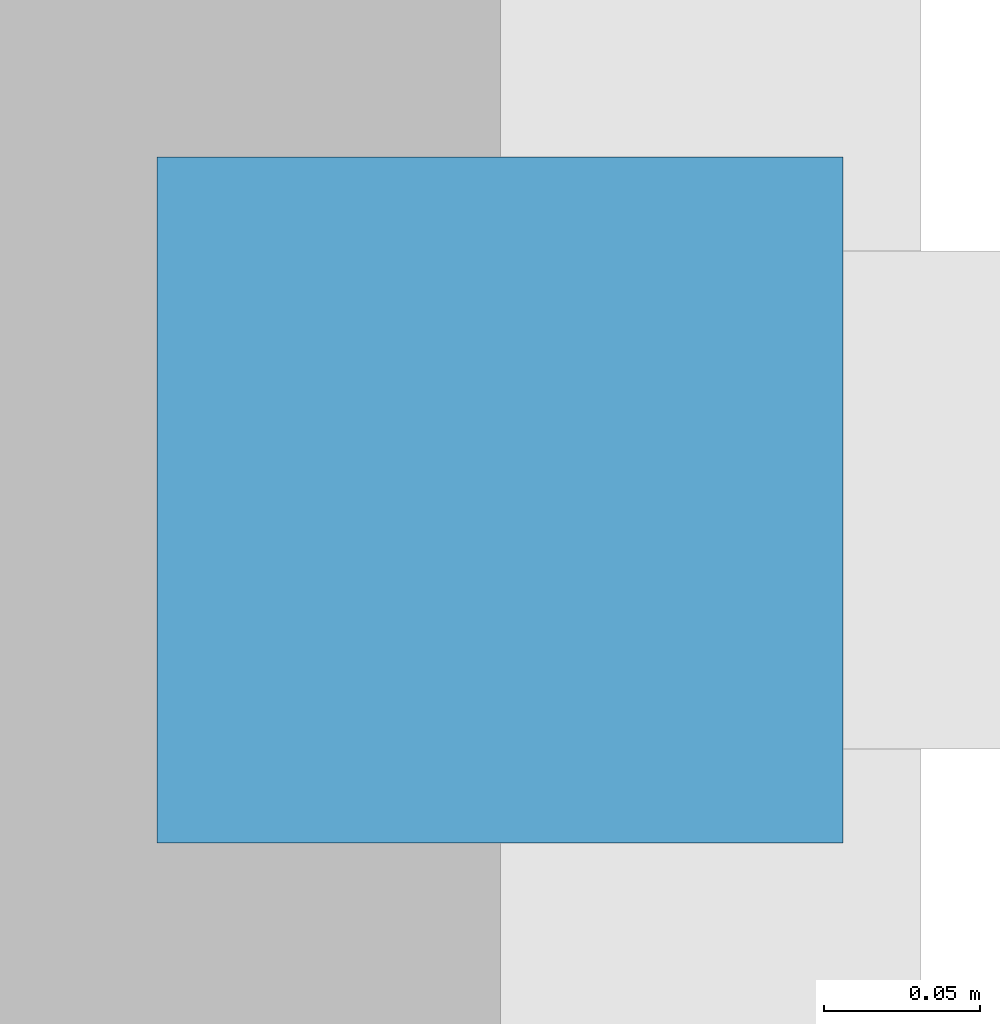
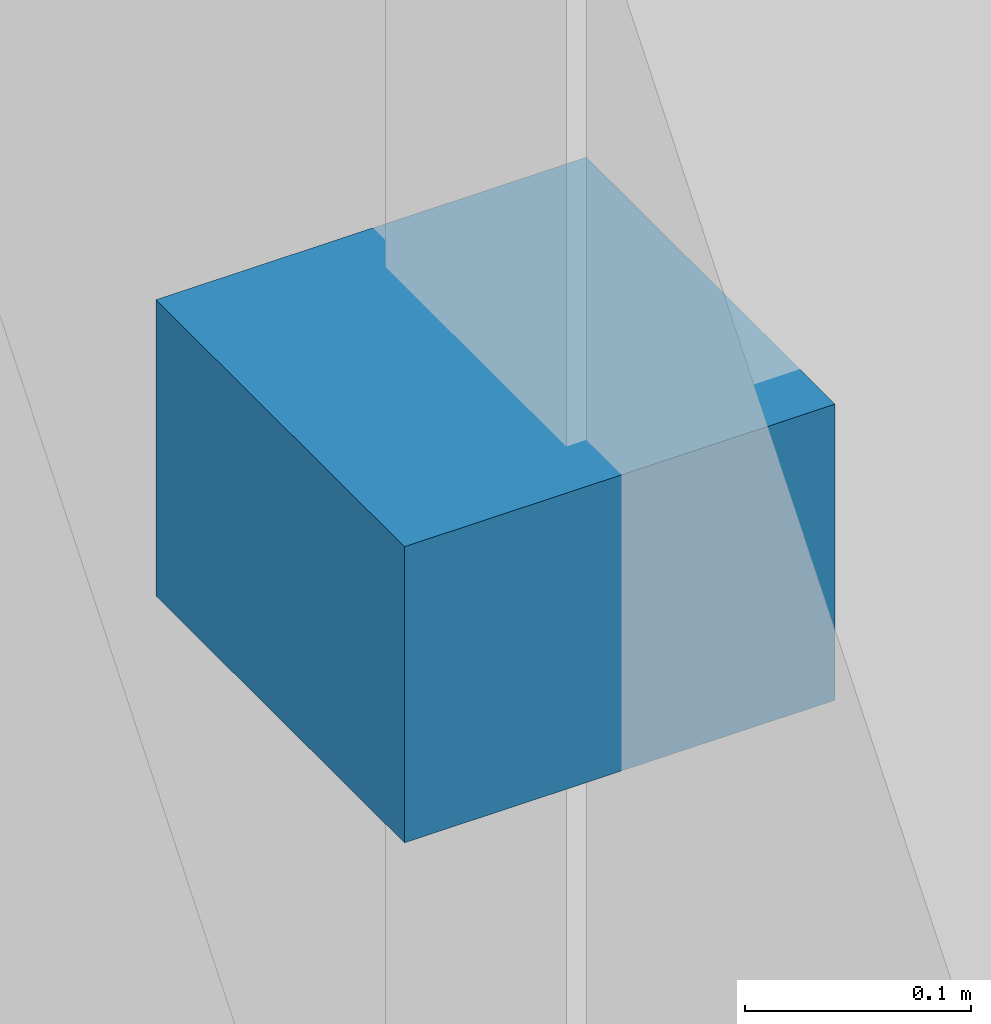
# One storey, part 151 of 154: 1 discrete accessory.
"""IFC4 building model written with IfcOpenShell, lengths in metres."""

from ifc_helpers import new_model, si_unit, direction, frame, origin, origin_2d, place, context, subcontext, project, spatial, rectangle, extrude, material, type_object, element, save


model = new_model("IFC4")

# Units and contexts
model_context = context("Model", 3, precision=1e-05, world=origin(), true_north=direction((0.0, 1.0)))
body_context = subcontext(model_context, "Body", "Model", "MODEL_VIEW")
ifc_project = project(units=[si_unit("LENGTHUNIT", "METRE"), si_unit("AREAUNIT", "SQUARE_METRE"), si_unit("VOLUMEUNIT", "CUBIC_METRE"), si_unit("PLANEANGLEUNIT", "RADIAN"), si_unit("MASSUNIT", "GRAM", prefix="KILO")], contexts=[model_context])

# Site, building, storey
site_placement = place(None, origin())
site = spatial("IfcSite", under=ifc_project, at=site_placement, CompositionType="ELEMENT")
building_placement = place(site_placement, origin())
building = spatial("IfcBuilding", under=site, at=building_placement, Name="Ologun Quay Terminus", CompositionType="ELEMENT")
storey_placement = place(building_placement, frame((0.0, 0.0, 13.800048828125)))
storey = spatial("IfcBuildingStorey", under=building, at=storey_placement, Name="L03", CompositionType="ELEMENT", Elevation=13.800048828125)

# Discrete accessory
ifc_material = material(Name="Steel S355", Category="steel")
discrete_accessory_type = type_object("IfcDiscreteAccessoryType", Name="Solar Fin Stainless Support Bracket", PredefinedType="BRACKET", material=ifc_material)
discrete_accessory_placement = place(storey_placement, frame((149.639892578125, 113.330078125, 0.52001953125), z_axis=(0.0, 0.0, 1.0), x_axis=(1.0, 0.0, 0.0)))
element("IfcDiscreteAccessory", 1, at=discrete_accessory_placement, inside=storey, type_object=discrete_accessory_type, Name="BRK-01 Solar Fin Bracket WEW-EW-L03-8-2", PredefinedType="BRACKET", context=body_context, shape_type="SweptSolid", body=[
    extrude(rectangle(XDim=0.219970703125, YDim=0.219970703125, at=origin_2d()), origin(), (0.0, 0.0, 1.0), 0.159912109375),
])

save(model, "model.ifc")
